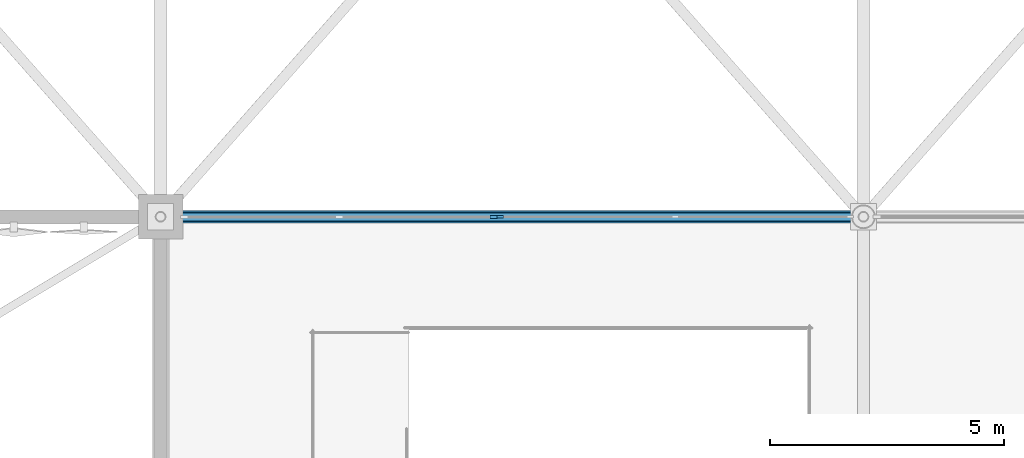
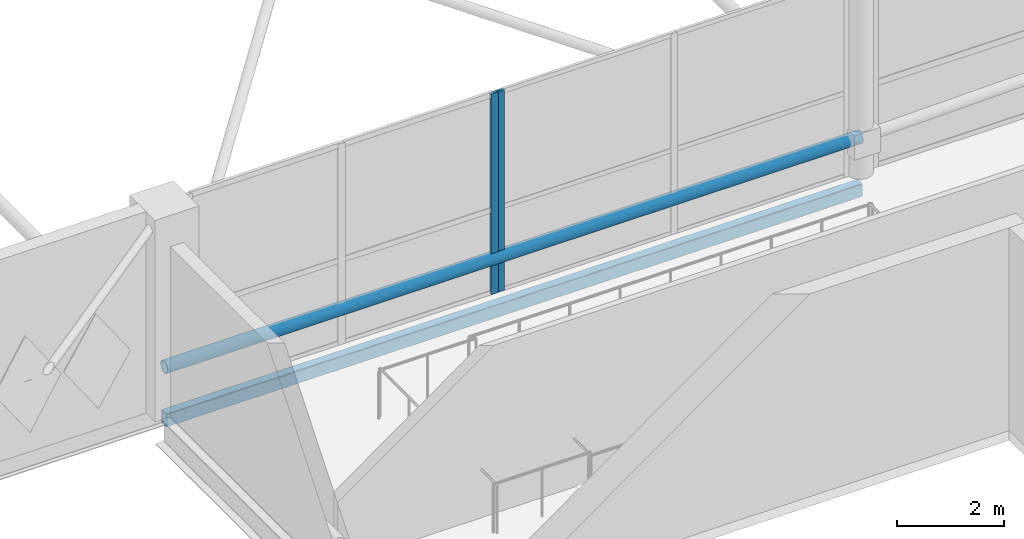
# One storey, part 45 of 224: 3 members, 1 beam, 2 elements without a shape of their own.
"""IFC4 building model written with IfcOpenShell, lengths in metres."""

from ifc_helpers import new_model, si_unit, direction, frame, origin, origin_2d, place, context, subcontext, project, spatial, rectangle, hollow_rectangle, hollow_circle, extrude, material, layer, layer_set, material_profile, profile_set, type_object, element, aggregate, save


model = new_model("IFC4")

# Units and contexts
model_context = context("Model", 3, precision=1e-05, world=origin(), true_north=direction((0.0, 1.0)))
body_context = subcontext(model_context, "Body", "Model", "MODEL_VIEW")
ifc_project = project(units=[si_unit("LENGTHUNIT", "METRE"), si_unit("AREAUNIT", "SQUARE_METRE"), si_unit("VOLUMEUNIT", "CUBIC_METRE"), si_unit("PLANEANGLEUNIT", "RADIAN"), si_unit("MASSUNIT", "GRAM", prefix="KILO")], contexts=[model_context])

# Site, building, storey
site_placement = place(None, origin())
site = spatial("IfcSite", under=ifc_project, at=site_placement, CompositionType="ELEMENT")
building_placement = place(site_placement, origin())
building = spatial("IfcBuilding", under=site, at=building_placement, Name="Qamarlyn Nura Convention Centre", CompositionType="ELEMENT")
storey_placement = place(building_placement, frame((0.0, 0.0, 10.800048828125)))
storey = spatial("IfcBuildingStorey", under=building, at=storey_placement, Name="L02", CompositionType="ELEMENT", Elevation=10.800048828125)

# Beam
ifc_material_1 = material(Name="Steel ASTM A500 Grade C", Category="steel")
ifc_material_profile_1 = material_profile(ifc_material_1, hollow_rectangle(XDim=0.199951171875, YDim=0.300048828125, WallThickness=0.012451171875, InnerFilletRadius=0.012451171875, OuterFilletRadius=0.02490234375, at=origin_2d()), Name="HSS300X200X12.5")
ifc_profile_set_1 = profile_set([ifc_material_profile_1], Name="Steel ASTM A500 Grade C")
beam_type = type_object("IfcBeamType", Name="BM-SPAN-HSS", PredefinedType="SPANDREL", material=ifc_profile_set_1)
beam_placement = place(storey_placement, frame((60.0, 18.0, -0.3701171875), z_axis=(1.0, 0.0, 0.0), x_axis=(0.0, 1.0, 0.0)))
element("IfcBeam", 1, at=beam_placement, inside=storey, type_object=beam_type, Name="L02 girder C 5-6", PredefinedType="SPANDREL", context=body_context, shape_type="SweptSolid", body=[
    extrude(hollow_rectangle(XDim=0.199951171875, YDim=0.300048828125, WallThickness=0.012451171875, InnerFilletRadius=0.012451171875, OuterFilletRadius=0.02490234375, at=origin_2d()), origin(), (0.0, 0.0, 1.0), 15.0),
])

# Curtain wall, member
ifc_material_2 = material(Name="Double-silver low-E insulated glass", Category="glass")
ifc_layer_1 = layer(ifc_material_2, 0.179931640625, Name="CW-UNIT-18")
ifc_layer_set_1 = layer_set([ifc_layer_1], Name="Double-silver low-E insulated glass")
curtain_wall_type_1 = type_object("IfcCurtainWallType", Name="CW-UNIT-18", PredefinedType="NOTDEFINED", material=ifc_layer_set_1)
curtain_wall_1_placement = place(storey_placement, origin())
curtain_wall_1 = element("IfcCurtainWall", 2, at=curtain_wall_1_placement, inside=storey, type_object=curtain_wall_type_1, Name="L02 unitised curtain wall V1-INT-S1-1B", PredefinedType="NOTDEFINED")
ifc_material_3 = material(Name="Champagne-anodised marine aluminium", Category="aluminium")
ifc_material_profile_2 = material_profile(ifc_material_3, rectangle(XDim=0.06005859375, YDim=0.139892578125, at=origin_2d()), Name="ALU MULLION 60x140")
ifc_profile_set_2 = profile_set([ifc_material_profile_2], Name="Champagne-anodised marine aluminium")
member_type_1 = type_object("IfcMemberType", Name="CWM-140", PredefinedType="MULLION", material=ifc_profile_set_2)
member_1_placement = place(storey_placement, frame((67.25244140625, 18.0, 0.0), z_axis=(0.0, 0.0, 1.0), x_axis=(0.0, 1.0, 0.0)))
member_1 = element("IfcMember", 3, at=member_1_placement, type_object=member_type_1, Name="CW18 mullion 1", PredefinedType="MULLION", context=body_context, shape_type="SweptSolid", body=[
    extrude(rectangle(XDim=0.06005859375, YDim=0.139892578125, at=origin_2d()), origin(), (0.0, 0.0, 1.0), 4.579833984375),
])
aggregate(curtain_wall_1, [member_1])

ifc_layer_2 = layer(ifc_material_2, 0.179931640625, Name="CW-UNIT-17")
ifc_layer_set_2 = layer_set([ifc_layer_2], Name="Double-silver low-E insulated glass")
curtain_wall_type_2 = type_object("IfcCurtainWallType", Name="CW-UNIT-17", PredefinedType="NOTDEFINED", material=ifc_layer_set_2)
curtain_wall_2_placement = place(storey_placement, origin())
curtain_wall_2 = element("IfcCurtainWall", 4, at=curtain_wall_2_placement, inside=storey, type_object=curtain_wall_type_2, Name="L02 unitised curtain wall V1-INT-S1-1A", PredefinedType="NOTDEFINED")
ifc_material_profile_3 = material_profile(ifc_material_3, rectangle(XDim=0.06494140625, YDim=0.159912109375, at=origin_2d()), Name="ALU MULLION 65x160")
ifc_profile_set_3 = profile_set([ifc_material_profile_3], Name="Champagne-anodised marine aluminium")
member_type_2 = type_object("IfcMemberType", Name="CWM-160", PredefinedType="MULLION", material=ifc_profile_set_3)
member_2_placement = place(storey_placement, frame((67.10986328125, 18.0, 0.0), z_axis=(0.0, 0.0, 1.0), x_axis=(0.0, 1.0, 0.0)))
member_2 = element("IfcMember", 5, at=member_2_placement, type_object=member_type_2, Name="CW17 mullion 3", PredefinedType="MULLION", context=body_context, shape_type="SweptSolid", body=[
    extrude(rectangle(XDim=0.06494140625, YDim=0.159912109375, at=origin_2d()), origin(), (0.0, 0.0, 1.0), 4.579833984375),
])
aggregate(curtain_wall_2, [member_2])

# Member
ifc_material_4 = material(Name="Pearl-white PVDF steel ASTM A500 Grade C", Category="steel")
ifc_material_profile_4 = material_profile(ifc_material_4, hollow_circle(Radius=0.136474609375, WallThickness=0.012451171875, at=origin_2d()), Name="CHS273X12.5")
ifc_profile_set_4 = profile_set([ifc_material_profile_4], Name="Pearl-white PVDF steel ASTM A500 Grade C")
member_type_3 = type_object("IfcMemberType", Name="SF-BC-MAIN", PredefinedType="CHORD", material=ifc_profile_set_4)
member_3_placement = place(storey_placement, frame((60.0, 18.0, 0.800048828125), z_axis=(1.0, 0.0, 0.0), x_axis=(0.0, 1.0, 0.0)))
element("IfcMember", 6, at=member_3_placement, inside=storey, type_object=member_type_3, Name="ROOF TRUSS space frame bottom chord X6-2", PredefinedType="CHORD", context=body_context, shape_type="SweptSolid", body=[
    extrude(hollow_circle(Radius=0.136474609375, WallThickness=0.012451171875, at=origin_2d()), origin(), (0.0, 0.0, 1.0), 15.0),
])

save(model, "model.ifc")
